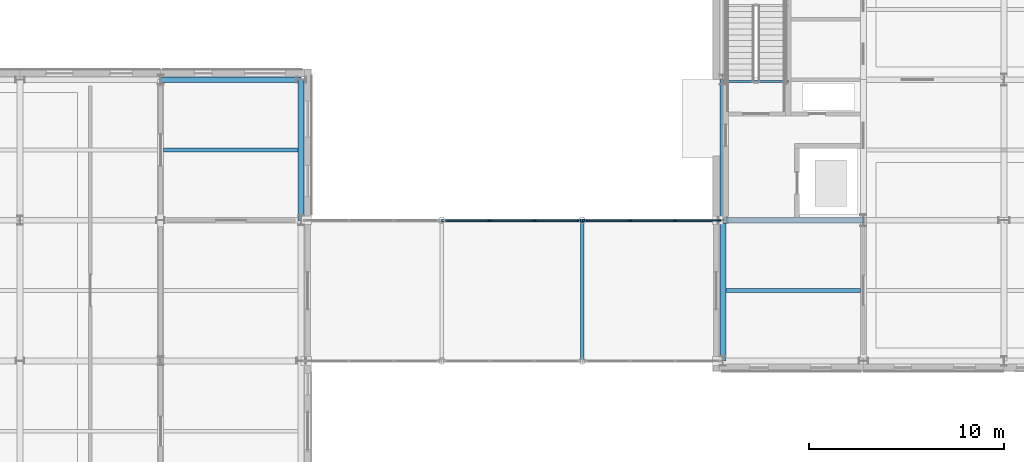
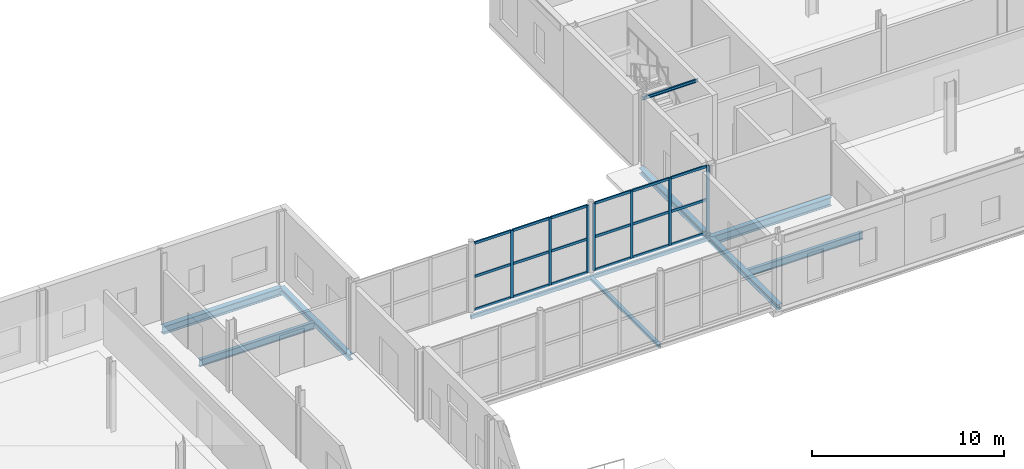
# One storey, part 34 of 92: 25 members, 11 beams, 2 elements without a shape of their own.
"""IFC4 building model written with IfcOpenShell, lengths in metres."""

from ifc_helpers import new_model, si_unit, direction, frame, origin, origin_2d, place, context, subcontext, project, spatial, rectangle, hollow_rectangle, i_section, extrude, material, material_profile, profile_set, type_object, element, aggregate, save


model = new_model("IFC4")

# Units and contexts
model_context = context("Model", 3, precision=1e-05, world=origin(), true_north=direction((0.0, 1.0)))
body_context = subcontext(model_context, "Body", "Model", "MODEL_VIEW")
ifc_project = project(units=[si_unit("LENGTHUNIT", "METRE"), si_unit("AREAUNIT", "SQUARE_METRE"), si_unit("VOLUMEUNIT", "CUBIC_METRE"), si_unit("PLANEANGLEUNIT", "RADIAN"), si_unit("MASSUNIT", "GRAM", prefix="KILO")], contexts=[model_context])

# Site, building, storey
site_placement = place(None, origin())
site = spatial("IfcSite", under=ifc_project, at=site_placement, CompositionType="ELEMENT")
building_placement = place(site_placement, origin())
building = spatial("IfcBuilding", under=site, at=building_placement, Name="Zlatovets Crest Museum", CompositionType="ELEMENT")
storey_placement = place(building_placement, origin())
storey = spatial("IfcBuildingStorey", under=building, at=storey_placement, Name="L00", CompositionType="ELEMENT", Elevation=0.0)

# Beams
ifc_material_1 = material(Name="Structural steel S355J2", Category="steel")
ifc_material_profile_1 = material_profile(ifc_material_1, i_section(OverallWidth=0.300048828125, OverallDepth=0.489990234375, WebThickness=0.011962890625, FlangeThickness=0.02294921875, FilletRadius=0.027099609375, at=origin_2d()), Name="HEA 500")
ifc_profile_set_1 = profile_set([ifc_material_profile_1], Name="Structural steel S355J2")
beam_type_1 = type_object("IfcBeamType", Name="Beam_B-01", PredefinedType="BEAM", material=ifc_profile_set_1)
beam_1_placement = place(storey_placement, frame((28.800048828125, 100.800048828125, -0.4951171875), z_axis=(1.0, 0.0, 0.0), x_axis=(0.0, 1.0, 0.0)))
element("IfcBeam", 1, at=beam_1_placement, inside=storey, type_object=beam_type_1, Name="V4 L00 Primary Girder B-01", PredefinedType="BEAM", context=body_context, shape_type="SweptSolid", body=[
    extrude(i_section(OverallWidth=0.300048828125, OverallDepth=0.489990234375, WebThickness=0.011962890625, FlangeThickness=0.02294921875, FilletRadius=0.027099609375, at=origin_2d()), origin(), (0.0, 0.0, 1.0), 7.199951171875),
])
ifc_material_profile_2 = material_profile(ifc_material_1, i_section(OverallWidth=0.300048828125, OverallDepth=0.35009765625, WebThickness=0.010009765625, FlangeThickness=0.017578125, FilletRadius=0.027099609375, at=origin_2d()), Name="HEA 360")
ifc_profile_set_2 = profile_set([ifc_material_profile_2], Name="Structural steel S355J2")
beam_type_2 = type_object("IfcBeamType", Name="Beam_B-03", PredefinedType="BEAM", material=ifc_profile_set_2)
beam_2_placement = place(storey_placement, frame((57.60009765625, 86.39990234375, -0.425048828125), z_axis=(0.0, 1.0, 0.0), x_axis=(-1.0, 0.0, 0.0)))
element("IfcBeam", 2, at=beam_2_placement, inside=storey, type_object=beam_type_2, Name="V1 L00 Grid Beam B-03", PredefinedType="BEAM", context=body_context, shape_type="SweptSolid", body=[
    extrude(i_section(OverallWidth=0.300048828125, OverallDepth=0.35009765625, WebThickness=0.010009765625, FlangeThickness=0.017578125, FilletRadius=0.027099609375, at=origin_2d()), origin(), (0.0, 0.0, 1.0), 7.2001953125),
])
for number, where, z_axis, x_axis, name in (
    (3, (57.60009765625, 93.60009765625, -0.425048828125), (0.0, 1.0, 0.0), (-1.0, 0.0, 0.0), "V1 L00 Grid Beam B-03"),
    (4, (36.0, 93.60009765625, -0.425048828125), (0.0, 1.0, 0.0), (-1.0, 0.0, 0.0), "V4 L00 Grid Beam B-03"),
):
    element("IfcBeam", number, at=place(storey_placement, frame(where, z_axis=z_axis, x_axis=x_axis)), inside=storey, type_object=beam_type_2, Name=name, PredefinedType="BEAM", context=body_context, shape_type="SweptSolid", body=[
        extrude(i_section(OverallWidth=0.300048828125, OverallDepth=0.35009765625, WebThickness=0.010009765625, FlangeThickness=0.017578125, FilletRadius=0.027099609375, at=origin_2d()), origin(), (0.0, 0.0, 1.0), 7.199951171875),
    ])
ifc_material_profile_3 = material_profile(ifc_material_1, i_section(OverallWidth=0.300048828125, OverallDepth=0.5400390625, WebThickness=0.012451171875, FlangeThickness=0.02392578125, FilletRadius=0.027099609375, at=origin_2d()), Name="HEA 550")
ifc_profile_set_3 = profile_set([ifc_material_profile_3], Name="Structural steel S355J2")
beam_type_3 = type_object("IfcBeamType", Name="Beam_B-09", PredefinedType="BEAM", material=ifc_profile_set_3)
beam_3_placement = place(storey_placement, frame((57.60009765625, 93.60009765625, -0.52001953125), z_axis=(1.0, 0.0, 0.0), x_axis=(0.0, 1.0, 0.0)))
element("IfcBeam", 5, at=beam_3_placement, inside=storey, type_object=beam_type_3, Name="V1 L00 Primary Girder B-09", PredefinedType="BEAM", context=body_context, shape_type="SweptSolid", body=[
    extrude(i_section(OverallWidth=0.300048828125, OverallDepth=0.5400390625, WebThickness=0.012451171875, FlangeThickness=0.02392578125, FilletRadius=0.027099609375, at=origin_2d()), origin(), (0.0, 0.0, 1.0), 7.199951171875),
])
ifc_material_profile_4 = material_profile(ifc_material_1, i_section(OverallWidth=0.199951171875, OverallDepth=0.18994140625, WebThickness=0.006591796875, FlangeThickness=0.010009765625, FilletRadius=0.01806640625, at=origin_2d()), Name="HEA 200")
ifc_profile_set_4 = profile_set([ifc_material_profile_4], Name="Structural steel S355J2")
beam_type_4 = type_object("IfcBeamType", Name="Beam_B-15", PredefinedType="BEAM", material=ifc_profile_set_4)
beam_4_placement = place(storey_placement, frame((50.39990234375, 86.39990234375, -0.375), z_axis=(0.0, 1.0, 0.0), x_axis=(-1.0, 0.0, 0.0)))
element("IfcBeam", 6, at=beam_4_placement, inside=storey, type_object=beam_type_4, Name="Northwest Crest Glazed Link Bridge L00 Cross Beam", PredefinedType="BEAM", context=body_context, shape_type="SweptSolid", body=[
    extrude(i_section(OverallWidth=0.199951171875, OverallDepth=0.18994140625, WebThickness=0.006591796875, FlangeThickness=0.010009765625, FilletRadius=0.01806640625, at=origin_2d()), origin(), (0.0, 0.0, 1.0), 7.2001953125),
])
ifc_material_profile_5 = material_profile(ifc_material_1, hollow_rectangle(XDim=0.14990234375, YDim=0.25, WallThickness=0.010009765625, InnerFilletRadius=0.010009765625, OuterFilletRadius=0.02001953125, at=origin_2d()), Name="RHS 150x250x10.0")
ifc_profile_set_5 = profile_set([ifc_material_profile_5], Name="Structural steel S355J2")
beam_type_5 = type_object("IfcBeamType", Name="Beam_BRG-03", PredefinedType="BEAM", material=ifc_profile_set_5)
beam_5_placement = place(storey_placement, frame((43.199951171875, 93.60009765625, -0.375), z_axis=(1.0, 0.0, 0.0), x_axis=(0.0, 1.0, 0.0)))
element("IfcBeam", 7, at=beam_5_placement, inside=storey, type_object=beam_type_5, Name="Northwest Crest Glazed Link Bridge L00 Stringer Beam", PredefinedType="BEAM", context=body_context, shape_type="SweptSolid", body=[
    extrude(hollow_rectangle(XDim=0.14990234375, YDim=0.25, WallThickness=0.010009765625, InnerFilletRadius=0.010009765625, OuterFilletRadius=0.02001953125, at=origin_2d()), origin(), (0.0, 0.0, 1.0), 7.199951171875),
])
beam_6_placement = place(storey_placement, frame((50.39990234375, 93.60009765625, -0.375), z_axis=(1.0, 0.0, 0.0), x_axis=(0.0, 1.0, 0.0)))
element("IfcBeam", 8, at=beam_6_placement, inside=storey, type_object=beam_type_5, Name="Northwest Crest Glazed Link Bridge L00 Stringer Beam", PredefinedType="BEAM", context=body_context, shape_type="SweptSolid", body=[
    extrude(hollow_rectangle(XDim=0.14990234375, YDim=0.25, WallThickness=0.010009765625, InnerFilletRadius=0.010009765625, OuterFilletRadius=0.02001953125, at=origin_2d()), origin(), (0.0, 0.0, 1.0), 7.2001953125),
])
ifc_material_profile_6 = material_profile(ifc_material_1, i_section(OverallWidth=0.18994140625, OverallDepth=0.449951171875, WebThickness=0.009521484375, FlangeThickness=0.0146484375, FilletRadius=0.02099609375, at=origin_2d()), Name="IPE 450")
ifc_profile_set_6 = profile_set([ifc_material_profile_6], Name="Structural steel S355J2")
beam_type_6 = type_object("IfcBeamType", Name="Beam_J-05", PredefinedType="JOIST", material=ifc_profile_set_6)
beam_7_placement = place(storey_placement, frame((57.75, 90.0, -0.47509765625), z_axis=(1.0, 0.0, 0.0), x_axis=(0.0, 1.0, 0.0)))
element("IfcBeam", 9, at=beam_7_placement, inside=storey, type_object=beam_type_6, Name="V1 L00 Composite Joist J-05", PredefinedType="JOIST", context=body_context, shape_type="SweptSolid", body=[
    extrude(i_section(OverallWidth=0.18994140625, OverallDepth=0.449951171875, WebThickness=0.009521484375, FlangeThickness=0.0146484375, FilletRadius=0.02099609375, at=origin_2d()), origin(), (0.0, 0.0, 1.0), 6.89990234375),
])
beam_8_placement = place(storey_placement, frame((28.949951171875, 97.199951171875, -0.47509765625), z_axis=(1.0, 0.0, 0.0), x_axis=(0.0, 1.0, 0.0)))
element("IfcBeam", 10, at=beam_8_placement, inside=storey, type_object=beam_type_6, Name="V4 L00 Composite Joist J-05", PredefinedType="JOIST", context=body_context, shape_type="SweptSolid", body=[
    extrude(i_section(OverallWidth=0.18994140625, OverallDepth=0.449951171875, WebThickness=0.009521484375, FlangeThickness=0.0146484375, FilletRadius=0.02099609375, at=origin_2d()), origin(), (0.0, 0.0, 1.0), 6.900146484375),
])
ifc_material_profile_7 = material_profile(ifc_material_1, i_section(OverallWidth=0.10009765625, OverallDepth=0.199951171875, WebThickness=0.005615234375, FlangeThickness=0.008544921875, FilletRadius=0.011962890625, at=origin_2d()), Name="IPE 200")
ifc_profile_set_7 = profile_set([ifc_material_profile_7], Name="Structural steel S355J2")
beam_type_7 = type_object("IfcBeamType", Name="Beam_PR-02", PredefinedType="LINTEL", material=ifc_profile_set_7)
beam_9_placement = place(storey_placement, frame((57.60009765625, 100.699951171875, 4.159912109375), z_axis=(1.0, 0.0, 0.0), x_axis=(0.0, 1.0, 0.0)))
element("IfcBeam", 11, at=beam_9_placement, inside=storey, type_object=beam_type_7, Name="Core C1 L00 Stair Well Header Beam", PredefinedType="LINTEL", context=body_context, shape_type="SweptSolid", body=[
    extrude(i_section(OverallWidth=0.10009765625, OverallDepth=0.199951171875, WebThickness=0.005615234375, FlangeThickness=0.008544921875, FilletRadius=0.011962890625, at=origin_2d()), origin(), (0.0, 0.0, 1.0), 3.349853515625),
])

# Curtain wall, members
ifc_material_2 = material(Name="Bronze-anodised aluminium and low-E triple glass", Category="aluminium")
curtain_wall_type = type_object("IfcCurtainWallType", Name="CW_CW-BR3-L00-S69", PredefinedType="NOTDEFINED", material=ifc_material_2)
curtain_wall_1_placement = place(storey_placement, origin())
curtain_wall_1 = element("IfcCurtainWall", 12, at=curtain_wall_1_placement, inside=storey, type_object=curtain_wall_type, Name="Northwest Crest Glazed Link Bridge L00 Glazed Bridge Curtain Wall", PredefinedType="NOTDEFINED")
ifc_material_3 = material(Name="Bronze-anodised aluminium EN AW-6060", Category="aluminium")
ifc_material_profile_8 = material_profile(ifc_material_3, rectangle(XDim=0.080078125, YDim=0.159912109375, at=origin_2d()), Name="ALU 80x160")
ifc_profile_set_8 = profile_set([ifc_material_profile_8], Name="Bronze-anodised aluminium EN AW-6060")
member_type_1 = type_object("IfcMemberType", Name="CWMull_M1", PredefinedType="MULLION", material=ifc_profile_set_8)
member_1_placement = place(storey_placement, frame((45.64990234375, 93.60009765625, 0.0), z_axis=(0.0, 0.0, 1.0), x_axis=(0.0, 1.0, 0.0)))
member_1 = element("IfcMember", 13, at=member_1_placement, type_object=member_type_1, Name="CW-BR3-L00-S69 mullion 2", PredefinedType="MULLION", context=body_context, shape_type="SweptSolid", body=[
    extrude(rectangle(XDim=0.080078125, YDim=0.159912109375, at=origin_2d()), origin(), (0.0, 0.0, 1.0), 4.280029296875),
])
member_2_placement = place(storey_placement, frame((47.949951171875, 93.60009765625, 0.0), z_axis=(0.0, 0.0, 1.0), x_axis=(0.0, 1.0, 0.0)))
member_2 = element("IfcMember", 14, at=member_2_placement, type_object=member_type_1, Name="CW-BR3-L00-S69 mullion 3", PredefinedType="MULLION", context=body_context, shape_type="SweptSolid", body=[
    extrude(rectangle(XDim=0.080078125, YDim=0.159912109375, at=origin_2d()), origin(), (0.0, 0.0, 1.0), 4.280029296875),
])
member_3_placement = place(storey_placement, frame((50.219970703125, 93.60009765625, 0.0), z_axis=(0.0, 0.0, 1.0), x_axis=(0.0, 1.0, 0.0)))
member_3 = element("IfcMember", 15, at=member_3_placement, type_object=member_type_1, Name="CW-BR3-L00-S69 mullion 4", PredefinedType="MULLION", context=body_context, shape_type="SweptSolid", body=[
    extrude(rectangle(XDim=0.080078125, YDim=0.159912109375, at=origin_2d()), origin(), (0.0, 0.0, 1.0), 4.280029296875),
])

curtain_wall_2_placement = place(storey_placement, origin())
curtain_wall_2 = element("IfcCurtainWall", 16, at=curtain_wall_2_placement, inside=storey, type_object=curtain_wall_type, Name="Northwest Crest Glazed Link Bridge L00 Glazed Bridge Curtain Wall", PredefinedType="NOTDEFINED")
member_4_placement = place(storey_placement, frame((50.580078125, 93.60009765625, 0.0), z_axis=(0.0, 0.0, 1.0), x_axis=(0.0, 1.0, 0.0)))
member_4 = element("IfcMember", 17, at=member_4_placement, type_object=member_type_1, Name="CW-BR3-L00-S69 mullion 1", PredefinedType="MULLION", context=body_context, shape_type="SweptSolid", body=[
    extrude(rectangle(XDim=0.080078125, YDim=0.159912109375, at=origin_2d()), origin(), (0.0, 0.0, 1.0), 4.280029296875),
])
member_5_placement = place(storey_placement, frame((52.85009765625, 93.60009765625, 0.0), z_axis=(0.0, 0.0, 1.0), x_axis=(0.0, 1.0, 0.0)))
member_5 = element("IfcMember", 18, at=member_5_placement, type_object=member_type_1, Name="CW-BR3-L00-S69 mullion 2", PredefinedType="MULLION", context=body_context, shape_type="SweptSolid", body=[
    extrude(rectangle(XDim=0.080078125, YDim=0.159912109375, at=origin_2d()), origin(), (0.0, 0.0, 1.0), 4.280029296875),
])
member_6_placement = place(storey_placement, frame((55.14990234375, 93.60009765625, 0.0), z_axis=(0.0, 0.0, 1.0), x_axis=(0.0, 1.0, 0.0)))
member_6 = element("IfcMember", 19, at=member_6_placement, type_object=member_type_1, Name="CW-BR3-L00-S69 mullion 3", PredefinedType="MULLION", context=body_context, shape_type="SweptSolid", body=[
    extrude(rectangle(XDim=0.080078125, YDim=0.159912109375, at=origin_2d()), origin(), (0.0, 0.0, 1.0), 4.280029296875),
])
member_7_placement = place(storey_placement, frame((57.419921875, 93.60009765625, 0.0), z_axis=(0.0, 0.0, 1.0), x_axis=(0.0, 1.0, 0.0)))
member_7 = element("IfcMember", 20, at=member_7_placement, type_object=member_type_1, Name="CW-BR3-L00-S69 mullion 4", PredefinedType="MULLION", context=body_context, shape_type="SweptSolid", body=[
    extrude(rectangle(XDim=0.080078125, YDim=0.159912109375, at=origin_2d()), origin(), (0.0, 0.0, 1.0), 4.280029296875),
])

# Member
ifc_material_profile_9 = material_profile(ifc_material_3, rectangle(XDim=0.080078125, YDim=0.159912109375, at=origin_2d()), Name="ALU 80x160")
ifc_profile_set_9 = profile_set([ifc_material_profile_9], Name="Bronze-anodised aluminium EN AW-6060")
member_type_2 = type_object("IfcMemberType", Name="CWTrans_T1", PredefinedType="USERDEFINED", material=ifc_profile_set_9)
member_8_placement = place(storey_placement, frame((43.409912109375, 93.60009765625, 0.030029296875), z_axis=(1.0, 0.0, 0.0), x_axis=(0.0, 1.0, 0.0)))
member_8 = element("IfcMember", 21, at=member_8_placement, type_object=member_type_2, Name="CW-BR3-L00-S69 transom 1.1", ObjectType="TRANSOM", PredefinedType="USERDEFINED", context=body_context, shape_type="SweptSolid", body=[
    extrude(rectangle(XDim=0.080078125, YDim=0.159912109375, at=origin_2d()), origin(), (0.0, 0.0, 1.0), 2.210205078125),
])

member_9_placement = place(storey_placement, frame((43.409912109375, 93.60009765625, 2.139892578125), z_axis=(1.0, 0.0, 0.0), x_axis=(0.0, 1.0, 0.0)))
member_9 = element("IfcMember", 22, at=member_9_placement, type_object=member_type_2, Name="CW-BR3-L00-S69 transom 1.2", ObjectType="TRANSOM", PredefinedType="USERDEFINED", context=body_context, shape_type="SweptSolid", body=[
    extrude(rectangle(XDim=0.080078125, YDim=0.159912109375, at=origin_2d()), origin(), (0.0, 0.0, 1.0), 2.210205078125),
])

member_10_placement = place(storey_placement, frame((43.409912109375, 93.60009765625, 4.25), z_axis=(1.0, 0.0, 0.0), x_axis=(0.0, 1.0, 0.0)))
member_10 = element("IfcMember", 23, at=member_10_placement, type_object=member_type_2, Name="CW-BR3-L00-S69 transom 1.3", ObjectType="TRANSOM", PredefinedType="USERDEFINED", context=body_context, shape_type="SweptSolid", body=[
    extrude(rectangle(XDim=0.080078125, YDim=0.159912109375, at=origin_2d()), origin(), (0.0, 0.0, 1.0), 2.210205078125),
])

member_11_placement = place(storey_placement, frame((45.679931640625, 93.60009765625, 0.030029296875), z_axis=(1.0, 0.0, 0.0), x_axis=(0.0, 1.0, 0.0)))
member_11 = element("IfcMember", 24, at=member_11_placement, type_object=member_type_2, Name="CW-BR3-L00-S69 transom 2.1", ObjectType="TRANSOM", PredefinedType="USERDEFINED", context=body_context, shape_type="SweptSolid", body=[
    extrude(rectangle(XDim=0.080078125, YDim=0.159912109375, at=origin_2d()), origin(), (0.0, 0.0, 1.0), 2.239990234375),
])

member_12_placement = place(storey_placement, frame((45.679931640625, 93.60009765625, 2.139892578125), z_axis=(1.0, 0.0, 0.0), x_axis=(0.0, 1.0, 0.0)))
member_12 = element("IfcMember", 25, at=member_12_placement, type_object=member_type_2, Name="CW-BR3-L00-S69 transom 2.2", ObjectType="TRANSOM", PredefinedType="USERDEFINED", context=body_context, shape_type="SweptSolid", body=[
    extrude(rectangle(XDim=0.080078125, YDim=0.159912109375, at=origin_2d()), origin(), (0.0, 0.0, 1.0), 2.239990234375),
])

member_13_placement = place(storey_placement, frame((45.679931640625, 93.60009765625, 4.25), z_axis=(1.0, 0.0, 0.0), x_axis=(0.0, 1.0, 0.0)))
member_13 = element("IfcMember", 26, at=member_13_placement, type_object=member_type_2, Name="CW-BR3-L00-S69 transom 2.3", ObjectType="TRANSOM", PredefinedType="USERDEFINED", context=body_context, shape_type="SweptSolid", body=[
    extrude(rectangle(XDim=0.080078125, YDim=0.159912109375, at=origin_2d()), origin(), (0.0, 0.0, 1.0), 2.239990234375),
])

member_14_placement = place(storey_placement, frame((47.97998046875, 93.60009765625, 0.030029296875), z_axis=(1.0, 0.0, 0.0), x_axis=(0.0, 1.0, 0.0)))
member_14 = element("IfcMember", 27, at=member_14_placement, type_object=member_type_2, Name="CW-BR3-L00-S69 transom 3.1", ObjectType="TRANSOM", PredefinedType="USERDEFINED", context=body_context, shape_type="SweptSolid", body=[
    extrude(rectangle(XDim=0.080078125, YDim=0.159912109375, at=origin_2d()), origin(), (0.0, 0.0, 1.0), 2.2099609375),
])

member_15_placement = place(storey_placement, frame((47.97998046875, 93.60009765625, 2.139892578125), z_axis=(1.0, 0.0, 0.0), x_axis=(0.0, 1.0, 0.0)))
member_15 = element("IfcMember", 28, at=member_15_placement, type_object=member_type_2, Name="CW-BR3-L00-S69 transom 3.2", ObjectType="TRANSOM", PredefinedType="USERDEFINED", context=body_context, shape_type="SweptSolid", body=[
    extrude(rectangle(XDim=0.080078125, YDim=0.159912109375, at=origin_2d()), origin(), (0.0, 0.0, 1.0), 2.2099609375),
])

member_16_placement = place(storey_placement, frame((47.97998046875, 93.60009765625, 4.25), z_axis=(1.0, 0.0, 0.0), x_axis=(0.0, 1.0, 0.0)))
member_16 = element("IfcMember", 29, at=member_16_placement, type_object=member_type_2, Name="CW-BR3-L00-S69 transom 3.3", ObjectType="TRANSOM", PredefinedType="USERDEFINED", context=body_context, shape_type="SweptSolid", body=[
    extrude(rectangle(XDim=0.080078125, YDim=0.159912109375, at=origin_2d()), origin(), (0.0, 0.0, 1.0), 2.2099609375),
])

aggregate(curtain_wall_1, [member_1, member_2, member_3, member_8, member_9, member_10, member_11, member_12, member_13, member_14, member_15, member_16])

member_17_placement = place(storey_placement, frame((50.610107421875, 93.60009765625, 0.030029296875), z_axis=(1.0, 0.0, 0.0), x_axis=(0.0, 1.0, 0.0)))
member_17 = element("IfcMember", 30, at=member_17_placement, type_object=member_type_2, Name="CW-BR3-L00-S69 transom 1.1", ObjectType="TRANSOM", PredefinedType="USERDEFINED", context=body_context, shape_type="SweptSolid", body=[
    extrude(rectangle(XDim=0.080078125, YDim=0.159912109375, at=origin_2d()), origin(), (0.0, 0.0, 1.0), 2.2099609375),
])

member_18_placement = place(storey_placement, frame((50.610107421875, 93.60009765625, 2.139892578125), z_axis=(1.0, 0.0, 0.0), x_axis=(0.0, 1.0, 0.0)))
member_18 = element("IfcMember", 31, at=member_18_placement, type_object=member_type_2, Name="CW-BR3-L00-S69 transom 1.2", ObjectType="TRANSOM", PredefinedType="USERDEFINED", context=body_context, shape_type="SweptSolid", body=[
    extrude(rectangle(XDim=0.080078125, YDim=0.159912109375, at=origin_2d()), origin(), (0.0, 0.0, 1.0), 2.2099609375),
])

member_19_placement = place(storey_placement, frame((50.610107421875, 93.60009765625, 4.25), z_axis=(1.0, 0.0, 0.0), x_axis=(0.0, 1.0, 0.0)))
member_19 = element("IfcMember", 32, at=member_19_placement, type_object=member_type_2, Name="CW-BR3-L00-S69 transom 1.3", ObjectType="TRANSOM", PredefinedType="USERDEFINED", context=body_context, shape_type="SweptSolid", body=[
    extrude(rectangle(XDim=0.080078125, YDim=0.159912109375, at=origin_2d()), origin(), (0.0, 0.0, 1.0), 2.2099609375),
])

member_20_placement = place(storey_placement, frame((52.8798828125, 93.60009765625, 0.030029296875), z_axis=(1.0, 0.0, 0.0), x_axis=(0.0, 1.0, 0.0)))
member_20 = element("IfcMember", 33, at=member_20_placement, type_object=member_type_2, Name="CW-BR3-L00-S69 transom 2.1", ObjectType="TRANSOM", PredefinedType="USERDEFINED", context=body_context, shape_type="SweptSolid", body=[
    extrude(rectangle(XDim=0.080078125, YDim=0.159912109375, at=origin_2d()), origin(), (0.0, 0.0, 1.0), 2.240234375),
])

member_21_placement = place(storey_placement, frame((52.8798828125, 93.60009765625, 2.139892578125), z_axis=(1.0, 0.0, 0.0), x_axis=(0.0, 1.0, 0.0)))
member_21 = element("IfcMember", 34, at=member_21_placement, type_object=member_type_2, Name="CW-BR3-L00-S69 transom 2.2", ObjectType="TRANSOM", PredefinedType="USERDEFINED", context=body_context, shape_type="SweptSolid", body=[
    extrude(rectangle(XDim=0.080078125, YDim=0.159912109375, at=origin_2d()), origin(), (0.0, 0.0, 1.0), 2.240234375),
])

member_22_placement = place(storey_placement, frame((52.8798828125, 93.60009765625, 4.25), z_axis=(1.0, 0.0, 0.0), x_axis=(0.0, 1.0, 0.0)))
member_22 = element("IfcMember", 35, at=member_22_placement, type_object=member_type_2, Name="CW-BR3-L00-S69 transom 2.3", ObjectType="TRANSOM", PredefinedType="USERDEFINED", context=body_context, shape_type="SweptSolid", body=[
    extrude(rectangle(XDim=0.080078125, YDim=0.159912109375, at=origin_2d()), origin(), (0.0, 0.0, 1.0), 2.240234375),
])

member_23_placement = place(storey_placement, frame((55.179931640625, 93.60009765625, 0.030029296875), z_axis=(1.0, 0.0, 0.0), x_axis=(0.0, 1.0, 0.0)))
member_23 = element("IfcMember", 36, at=member_23_placement, type_object=member_type_2, Name="CW-BR3-L00-S69 transom 3.1", ObjectType="TRANSOM", PredefinedType="USERDEFINED", context=body_context, shape_type="SweptSolid", body=[
    extrude(rectangle(XDim=0.080078125, YDim=0.159912109375, at=origin_2d()), origin(), (0.0, 0.0, 1.0), 2.2099609375),
])

member_24_placement = place(storey_placement, frame((55.179931640625, 93.60009765625, 2.139892578125), z_axis=(1.0, 0.0, 0.0), x_axis=(0.0, 1.0, 0.0)))
member_24 = element("IfcMember", 37, at=member_24_placement, type_object=member_type_2, Name="CW-BR3-L00-S69 transom 3.2", ObjectType="TRANSOM", PredefinedType="USERDEFINED", context=body_context, shape_type="SweptSolid", body=[
    extrude(rectangle(XDim=0.080078125, YDim=0.159912109375, at=origin_2d()), origin(), (0.0, 0.0, 1.0), 2.2099609375),
])

member_25_placement = place(storey_placement, frame((55.179931640625, 93.60009765625, 4.25), z_axis=(1.0, 0.0, 0.0), x_axis=(0.0, 1.0, 0.0)))
member_25 = element("IfcMember", 38, at=member_25_placement, type_object=member_type_2, Name="CW-BR3-L00-S69 transom 3.3", ObjectType="TRANSOM", PredefinedType="USERDEFINED", context=body_context, shape_type="SweptSolid", body=[
    extrude(rectangle(XDim=0.080078125, YDim=0.159912109375, at=origin_2d()), origin(), (0.0, 0.0, 1.0), 2.2099609375),
])

aggregate(curtain_wall_2, [member_4, member_5, member_6, member_7, member_17, member_18, member_19, member_20, member_21, member_22, member_23, member_24, member_25])

save(model, "model.ifc")
